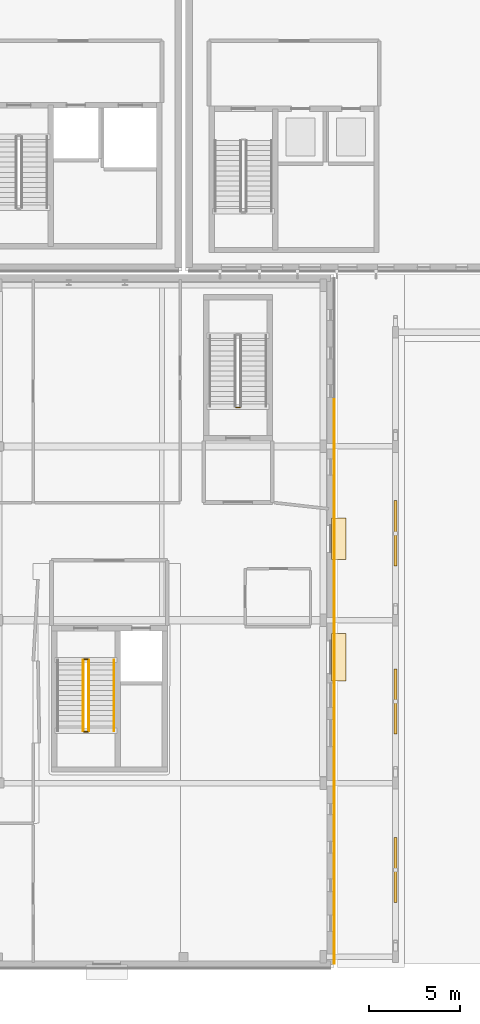
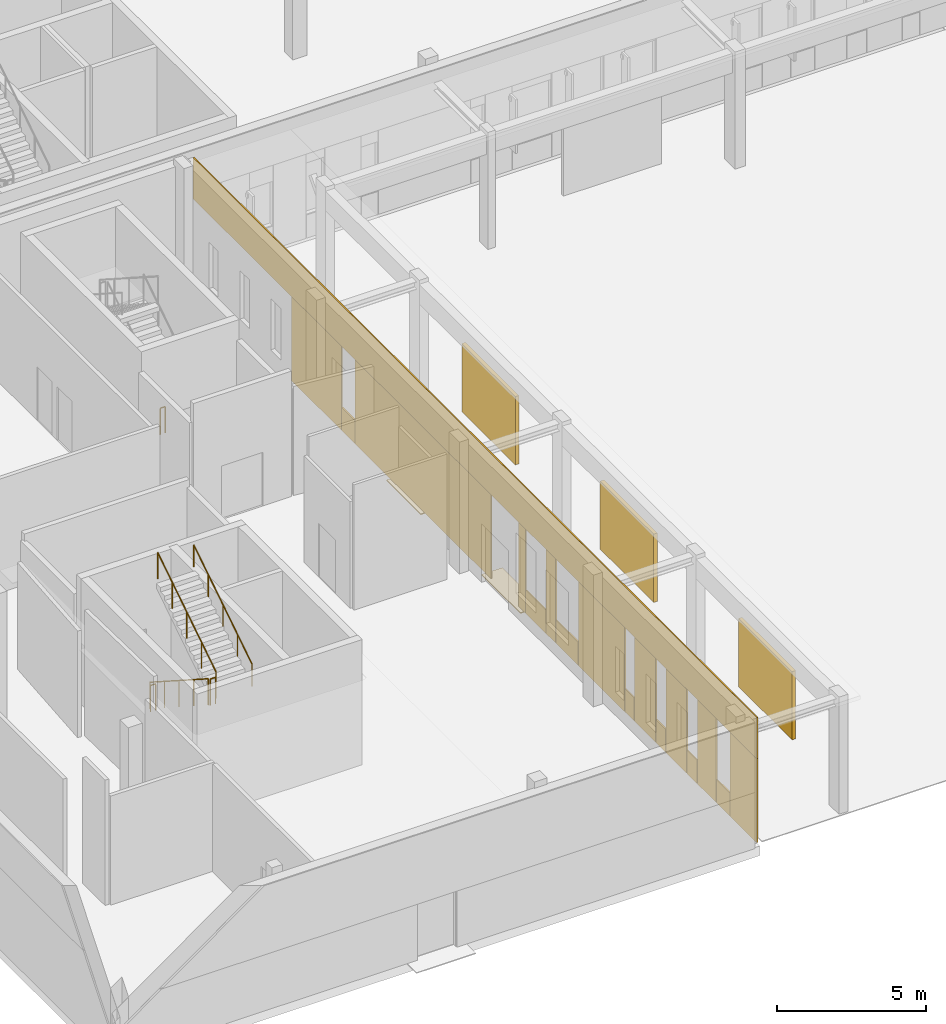
# One storey, part 58 of 84: 19 coverings, 6 railings, 3 shading devices.
"""IFC4 building model written with IfcOpenShell, lengths in metres."""

from ifc_helpers import new_model, si_unit, direction, frame, origin, origin_2d, place, context, subcontext, project, spatial, rectangle, circle, extrude, material, layer, layer_set, type_object, element, save


model = new_model("IFC4")

# Units and contexts
model_context = context("Model", 3, precision=1e-05, world=origin(), true_north=direction((0.0, 1.0)))
body_context = subcontext(model_context, "Body", "Model", "MODEL_VIEW")
ifc_project = project(units=[si_unit("LENGTHUNIT", "METRE"), si_unit("AREAUNIT", "SQUARE_METRE"), si_unit("VOLUMEUNIT", "CUBIC_METRE"), si_unit("PLANEANGLEUNIT", "RADIAN"), si_unit("MASSUNIT", "GRAM", prefix="KILO")], contexts=[model_context])

# Site, building, storey
site_placement = place(None, origin())
site = spatial("IfcSite", under=ifc_project, at=site_placement, CompositionType="ELEMENT")
building_placement = place(site_placement, origin())
building = spatial("IfcBuilding", under=site, at=building_placement, Name="Mzevani Central Library", CompositionType="ELEMENT")
storey_placement = place(building_placement, origin())
storey = spatial("IfcBuildingStorey", under=building, at=storey_placement, Name="L00", CompositionType="ELEMENT", Elevation=0.0)

# Railings
ifc_material_1 = material(Name="Brushed stainless steel rail", Category="steel")
railing_type_1 = type_object("IfcRailingType", Name="Interior Gallery and Stair Guard 1100", PredefinedType="BALUSTRADE", material=ifc_material_1)
railing_1_placement = place(storey_placement, frame((40.449951171875, 21.0, 0.179931640625)))
element("IfcRailing", 1, at=railing_1_placement, inside=storey, type_object=railing_type_1, Name="L00 ST-07 stair guard 1", PredefinedType="BALUSTRADE", context=body_context, shape_type="SweptSolid", body=[
    extrude(circle(Radius=0.02392578125, at=origin_2d()), frame((0.0, 0.0, 1.076171875), z_axis=(0.0, -0.841171666519, 0.540768182723), x_axis=(1.0, 0.0, 0.0)), (0.0, 0.0, 1.0), 4.66015625),
    extrude(circle(Radius=0.02099609375, at=origin_2d()), origin(), (0.0, 0.0, 1.0), 1.052001953125),
    extrude(circle(Radius=0.02099609375, at=origin_2d()), frame((0.0, -0.97998046875, 0.6298828125)), (0.0, 0.0, 1.0), 1.052001953125),
    extrude(circle(Radius=0.02099609375, at=origin_2d()), frame((0.0, -1.9599609375, 1.260009765625)), (0.0, 0.0, 1.0), 1.052001953125),
    extrude(circle(Radius=0.02099609375, at=origin_2d()), frame((0.0, -2.93994140625, 1.89013671875)), (0.0, 0.0, 1.0), 1.052001953125),
    extrude(circle(Radius=0.02099609375, at=origin_2d()), frame((0.0, -3.919921875, 2.52001953125)), (0.0, 0.0, 1.0), 1.052001953125),
])
railing_2_placement = place(storey_placement, frame((40.5, 17.030029296875, 2.699951171875)))
element("IfcRailing", 2, at=railing_2_placement, inside=storey, type_object=railing_type_1, Name="L00 ST-07 stair guard 2", PredefinedType="BALUSTRADE", context=body_context, shape_type="SweptSolid", body=[
    extrude(circle(Radius=0.02392578125, at=origin_2d()), frame((0.0, 0.0, 1.076171875), z_axis=(1.0, 0.0, 0.0), x_axis=(0.0, 1.0, 0.0)), (0.0, 0.0, 1.0), 0.199951171875),
    extrude(circle(Radius=0.02099609375, at=origin_2d()), origin(), (0.0, 0.0, 1.0), 1.052001953125),
    extrude(circle(Radius=0.02099609375, at=origin_2d()), frame((0.199951171875, 0.0, 0.0)), (0.0, 0.0, 1.0), 1.052001953125),
])
railing_3_placement = place(storey_placement, frame((40.75, 17.080078125, 2.8798828125)))
element("IfcRailing", 3, at=railing_3_placement, inside=storey, type_object=railing_type_1, Name="L00 ST-07 stair guard 3", PredefinedType="BALUSTRADE", context=body_context, shape_type="SweptSolid", body=[
    extrude(circle(Radius=0.02392578125, at=origin_2d()), frame((0.0, 0.0, 1.076171875), z_axis=(0.0, 0.841171666519, 0.540768182723), x_axis=(-1.0, 0.0, 0.0)), (0.0, 0.0, 1.0), 4.66015625),
    extrude(circle(Radius=0.02099609375, at=origin_2d()), origin(), (0.0, 0.0, 1.0), 1.052001953125),
    extrude(circle(Radius=0.02099609375, at=origin_2d()), frame((0.0, 0.97998046875, 0.6298828125)), (0.0, 0.0, 1.0), 1.052001953125),
    extrude(circle(Radius=0.02099609375, at=origin_2d()), frame((0.0, 1.9599609375, 1.260009765625)), (0.0, 0.0, 1.0), 1.052001953125),
    extrude(circle(Radius=0.02099609375, at=origin_2d()), frame((0.0, 2.93994140625, 1.89013671875)), (0.0, 0.0, 1.0), 1.052001953125),
    extrude(circle(Radius=0.02099609375, at=origin_2d()), frame((0.0, 3.919921875, 2.52001953125)), (0.0, 0.0, 1.0), 1.052001953125),
])
railing_4_placement = place(storey_placement, frame((40.5, 21.050048828125, 0.0)))
element("IfcRailing", 4, at=railing_4_placement, inside=storey, type_object=railing_type_1, Name="L00 ST-07 stair guard 4", PredefinedType="BALUSTRADE", context=body_context, shape_type="SweptSolid", body=[
    extrude(circle(Radius=0.02392578125, at=origin_2d()), frame((0.0, 0.0, 1.076171875), z_axis=(1.0, 0.0, 0.0), x_axis=(0.0, 1.0, 0.0)), (0.0, 0.0, 1.0), 0.199951171875),
    extrude(circle(Radius=0.02099609375, at=origin_2d()), origin(), (0.0, 0.0, 1.0), 1.052001953125),
    extrude(circle(Radius=0.02099609375, at=origin_2d()), frame((0.199951171875, 0.0, 0.0)), (0.0, 0.0, 1.0), 1.052001953125),
])
railing_5_placement = place(storey_placement, frame((49.10009765625, 34.949951171875, 0.0)))
element("IfcRailing", 5, at=railing_5_placement, inside=storey, type_object=railing_type_1, Name="L00 ST-08 stair guard 4", PredefinedType="BALUSTRADE", context=body_context, shape_type="SweptSolid", body=[
    extrude(circle(Radius=0.02392578125, at=origin_2d()), frame((0.0, 0.0, 1.076171875), z_axis=(-1.0, 0.0, 0.0), x_axis=(0.0, -1.0, 0.0)), (0.0, 0.0, 1.0), 0.2001953125),
    extrude(circle(Radius=0.02099609375, at=origin_2d()), origin(), (0.0, 0.0, 1.0), 1.052001953125),
    extrude(circle(Radius=0.02099609375, at=origin_2d()), frame((-0.2001953125, 0.0, 0.0)), (0.0, 0.0, 1.0), 1.052001953125),
])

# Coverings
ifc_material_2 = material(Name="Limestone ashlar cladding", Category="masonry")
ifc_layer_1 = layer(ifc_material_2, 0.050048828125, Name="Limestone Ashlar Spandrel Cladding")
ifc_layer_set_1 = layer_set([ifc_layer_1], Name="Limestone ashlar cladding")
covering_type_1 = type_object("IfcCoveringType", Name="Limestone Ashlar Spandrel Cladding", PredefinedType="CLADDING", material=ifc_layer_set_1)
covering_1_placement = place(storey_placement, frame((54.323974609375, 23.14990234375, 3.449951171875), z_axis=(0.0, 0.0, 1.0), x_axis=(0.0, -1.0, 0.0)))
element("IfcCovering", 6, at=covering_1_placement, inside=storey, type_object=covering_type_1, Name="L00 Warm-White Facade Spandrel (EW4-V4-L00-0075)", PredefinedType="CLADDING", context=body_context, shape_type="SweptSolid", body=[
    extrude(rectangle(XDim=37.8798828125, YDim=0.050048828125, at=origin_2d()), origin(), (0.0, 0.0, 1.0), 1.68994140625),
])
covering_2_placement = place(storey_placement, frame((54.323974609375, 33.81005859375, 0.0), z_axis=(0.0, 0.0, 1.0), x_axis=(0.0, -1.0, 0.0)))
element("IfcCovering", 7, at=covering_2_placement, inside=storey, type_object=covering_type_1, Name="L00 Warm-White Facade Pier 7 (EW4-V4-L00-0075)", PredefinedType="CLADDING", context=body_context, shape_type="SweptSolid", body=[
    extrude(rectangle(XDim=3.360107421875, YDim=0.050048828125, at=origin_2d()), origin(), (0.0, 0.0, 1.0), 3.449951171875),
])
covering_3_placement = place(storey_placement, frame((54.323974609375, 31.659912109375, 0.0), z_axis=(0.0, 0.0, 1.0), x_axis=(0.0, -1.0, 0.0)))
element("IfcCovering", 8, at=covering_3_placement, inside=storey, type_object=covering_type_1, Name="L00 Warm-White Sill Cladding 8 (EW4-V4-L00-0075)", PredefinedType="CLADDING", context=body_context, shape_type="SweptSolid", body=[
    extrude(rectangle(XDim=0.89990234375, YDim=0.050048828125, at=origin_2d()), origin(), (0.0, 0.0, 1.0), 0.949951171875),
])
covering_4_placement = place(storey_placement, frame((54.323974609375, 26.6298828125, 0.0), z_axis=(0.0, 0.0, 1.0), x_axis=(0.0, -1.0, 0.0)))
element("IfcCovering", 9, at=covering_4_placement, inside=storey, type_object=covering_type_1, Name="L00 Warm-White Facade Pier 9 (EW4-V4-L00-0075)", PredefinedType="CLADDING", context=body_context, shape_type="SweptSolid", body=[
    extrude(rectangle(XDim=9.1201171875, YDim=0.050048828125, at=origin_2d()), origin(), (0.0, 0.0, 1.0), 3.449951171875),
])
covering_5_placement = place(storey_placement, frame((54.323974609375, 19.992431640625, 0.0), z_axis=(0.0, 0.0, 1.0), x_axis=(0.0, -1.0, 0.0)))
element("IfcCovering", 10, at=covering_5_placement, inside=storey, type_object=covering_type_1, Name="L00 Warm-White Facade Pier 10 (EW4-V4-L00-0075)", PredefinedType="CLADDING", context=body_context, shape_type="SweptSolid", body=[
    extrude(rectangle(XDim=0.47509765625, YDim=0.050048828125, at=origin_2d()), origin(), (0.0, 0.0, 1.0), 3.449951171875),
])
covering_6_placement = place(storey_placement, frame((54.323974609375, 19.06005859375, 0.0), z_axis=(0.0, 0.0, 1.0), x_axis=(0.0, -1.0, 0.0)))
element("IfcCovering", 11, at=covering_6_placement, inside=storey, type_object=covering_type_1, Name="L00 Warm-White Sill Cladding 11 (EW4-V4-L00-0075)", PredefinedType="CLADDING", context=body_context, shape_type="SweptSolid", body=[
    extrude(rectangle(XDim=1.35009765625, YDim=0.050048828125, at=origin_2d()), origin(), (0.0, 0.0, 1.0), 0.949951171875),
])
covering_7_placement = place(storey_placement, frame((54.323974609375, 18.047607421875, 0.0), z_axis=(0.0, 0.0, 1.0), x_axis=(0.0, -1.0, 0.0)))
element("IfcCovering", 12, at=covering_7_placement, inside=storey, type_object=covering_type_1, Name="L00 Warm-White Facade Pier 12 (EW4-V4-L00-0075)", PredefinedType="CLADDING", context=body_context, shape_type="SweptSolid", body=[
    extrude(rectangle(XDim=0.635009765625, YDim=0.050048828125, at=origin_2d()), origin(), (0.0, 0.0, 1.0), 3.449951171875),
])
covering_8_placement = place(storey_placement, frame((54.323974609375, 16.9599609375, 0.0), z_axis=(0.0, 0.0, 1.0), x_axis=(0.0, -1.0, 0.0)))
element("IfcCovering", 13, at=covering_8_placement, inside=storey, type_object=covering_type_1, Name="L00 Warm-White Sill Cladding 13 (EW4-V4-L00-0075)", PredefinedType="CLADDING", context=body_context, shape_type="SweptSolid", body=[
    extrude(rectangle(XDim=1.5, YDim=0.050048828125, at=origin_2d()), origin(), (0.0, 0.0, 1.0), 0.949951171875),
])
covering_9_placement = place(storey_placement, frame((54.323974609375, 14.635009765625, 0.0), z_axis=(0.0, 0.0, 1.0), x_axis=(0.0, -1.0, 0.0)))
element("IfcCovering", 14, at=covering_9_placement, inside=storey, type_object=covering_type_1, Name="L00 Warm-White Facade Pier 14 (EW4-V4-L00-0075)", PredefinedType="CLADDING", context=body_context, shape_type="SweptSolid", body=[
    extrude(rectangle(XDim=3.110107421875, YDim=0.050048828125, at=origin_2d()), origin(), (0.0, 0.0, 1.0), 3.449951171875),
])
covering_10_placement = place(storey_placement, frame((54.323974609375, 12.760009765625, 0.0), z_axis=(0.0, 0.0, 1.0), x_axis=(0.0, -1.0, 0.0)))
element("IfcCovering", 15, at=covering_10_placement, inside=storey, type_object=covering_type_1, Name="L00 Warm-White Sill Cladding 15 (EW4-V4-L00-0075)", PredefinedType="CLADDING", context=body_context, shape_type="SweptSolid", body=[
    extrude(rectangle(XDim=0.60009765625, YDim=0.050048828125, at=origin_2d()), origin(), (0.0, 0.0, 1.0), 0.949951171875),
])
covering_11_placement = place(storey_placement, frame((54.323974609375, 11.722412109375, 0.0), z_axis=(0.0, 0.0, 1.0), x_axis=(0.0, -1.0, 0.0)))
element("IfcCovering", 16, at=covering_11_placement, inside=storey, type_object=covering_type_1, Name="L00 Warm-White Facade Pier 16 (EW4-V4-L00-0075)", PredefinedType="CLADDING", context=body_context, shape_type="SweptSolid", body=[
    extrude(rectangle(XDim=1.43505859375, YDim=0.050048828125, at=origin_2d()), origin(), (0.0, 0.0, 1.0), 3.449951171875),
])
covering_12_placement = place(storey_placement, frame((54.323974609375, 10.659912109375, 0.0), z_axis=(0.0, 0.0, 1.0), x_axis=(0.0, -1.0, 0.0)))
element("IfcCovering", 17, at=covering_12_placement, inside=storey, type_object=covering_type_1, Name="L00 Warm-White Sill Cladding 17 (EW4-V4-L00-0075)", PredefinedType="CLADDING", context=body_context, shape_type="SweptSolid", body=[
    extrude(rectangle(XDim=0.64990234375, YDim=0.050048828125, at=origin_2d()), origin(), (0.0, 0.0, 1.0), 0.949951171875),
])
covering_13_placement = place(storey_placement, frame((54.323974609375, 9.62255859375, 0.0), z_axis=(0.0, 0.0, 1.0), x_axis=(0.0, -1.0, 0.0)))
element("IfcCovering", 18, at=covering_13_placement, inside=storey, type_object=covering_type_1, Name="L00 Warm-White Facade Pier 18 (EW4-V4-L00-0075)", PredefinedType="CLADDING", context=body_context, shape_type="SweptSolid", body=[
    extrude(rectangle(XDim=1.385009765625, YDim=0.050048828125, at=origin_2d()), origin(), (0.0, 0.0, 1.0), 3.449951171875),
])
covering_14_placement = place(storey_placement, frame((54.323974609375, 8.56005859375, 0.0), z_axis=(0.0, 0.0, 1.0), x_axis=(0.0, -1.0, 0.0)))
element("IfcCovering", 19, at=covering_14_placement, inside=storey, type_object=covering_type_1, Name="L00 Warm-White Sill Cladding 19 (EW4-V4-L00-0075)", PredefinedType="CLADDING", context=body_context, shape_type="SweptSolid", body=[
    extrude(rectangle(XDim=0.699951171875, YDim=0.050048828125, at=origin_2d()), origin(), (0.0, 0.0, 1.0), 0.949951171875),
])
covering_15_placement = place(storey_placement, frame((54.323974609375, 7.56005859375, 0.0), z_axis=(0.0, 0.0, 1.0), x_axis=(0.0, -1.0, 0.0)))
element("IfcCovering", 20, at=covering_15_placement, inside=storey, type_object=covering_type_1, Name="L00 Warm-White Facade Pier 20 (EW4-V4-L00-0075)", PredefinedType="CLADDING", context=body_context, shape_type="SweptSolid", body=[
    extrude(rectangle(XDim=1.260009765625, YDim=0.050048828125, at=origin_2d()), origin(), (0.0, 0.0, 1.0), 3.449951171875),
])
covering_16_placement = place(storey_placement, frame((54.323974609375, 6.4599609375, 0.0), z_axis=(0.0, 0.0, 1.0), x_axis=(0.0, -1.0, 0.0)))
element("IfcCovering", 21, at=covering_16_placement, inside=storey, type_object=covering_type_1, Name="L00 Warm-White Sill Cladding 21 (EW4-V4-L00-0075)", PredefinedType="CLADDING", context=body_context, shape_type="SweptSolid", body=[
    extrude(rectangle(XDim=0.89990234375, YDim=0.050048828125, at=origin_2d()), origin(), (0.0, 0.0, 1.0), 0.949951171875),
])
covering_17_placement = place(storey_placement, frame((54.323974609375, 5.10009765625, 0.0), z_axis=(0.0, 0.0, 1.0), x_axis=(0.0, -1.0, 0.0)))
element("IfcCovering", 22, at=covering_17_placement, inside=storey, type_object=covering_type_1, Name="L00 Warm-White Facade Pier 22 (EW4-V4-L00-0075)", PredefinedType="CLADDING", context=body_context, shape_type="SweptSolid", body=[
    extrude(rectangle(XDim=1.780029296875, YDim=0.050048828125, at=origin_2d()), origin(), (0.0, 0.0, 1.0), 3.449951171875),
])

# Shading devices
ifc_material_3 = material(Name="Precast concrete C40/50", Category="concrete")
ifc_layer_2 = layer(ifc_material_3, 0.139892578125, Name="Precast Concrete Desert Breeze-Block Screen")
ifc_layer_set_2 = layer_set([ifc_layer_2], Name="Precast concrete C40/50")
shading_device_type = type_object("IfcShadingDeviceType", Name="Precast Concrete Desert Breeze-Block Screen", PredefinedType="JALOUSIE", material=ifc_layer_set_2)
for number, where, z_axis, x_axis, name in (
    (23, (57.699951171875, 9.39990234375, 1.0), (0.0, 0.0, 1.0), (1.0, 0.0, 0.0), "L00 Precast Breeze-Block Solar Screen 1"),
    (24, (57.699951171875, 18.699951171875, 1.0), (0.0, 0.0, 1.0), (1.0, 0.0, 0.0), "L00 Precast Breeze-Block Solar Screen 2"),
    (25, (57.699951171875, 28.0, 1.0), (0.0, 0.0, 1.0), (1.0, 0.0, 0.0), "L00 Precast Breeze-Block Solar Screen 3"),
):
    element("IfcShadingDevice", number, at=place(storey_placement, frame(where, z_axis=z_axis, x_axis=x_axis)), inside=storey, type_object=shading_device_type, Name=name, PredefinedType="JALOUSIE", context=body_context, shape_type="SweptSolid", body=[
        extrude(rectangle(XDim=0.139892578125, YDim=3.60009765625, at=origin_2d()), origin(), (0.0, 0.0, 1.0), 2.800048828125),
    ])

# Railing
railing_type_2 = type_object("IfcRailingType", Name="Stair Wall Handrail 920", PredefinedType="HANDRAIL", material=ifc_material_1)
railing_6_placement = place(storey_placement, frame((42.14990234375, 17.080078125, 2.8798828125)))
element("IfcRailing", 26, at=railing_6_placement, inside=storey, type_object=railing_type_2, Name="L00 ST-07 stair handrail 2", PredefinedType="HANDRAIL", context=body_context, shape_type="SweptSolid", body=[
    extrude(circle(Radius=0.02392578125, at=origin_2d()), frame((0.0, 0.0, 0.89599609375), z_axis=(0.0, 0.841171666519, 0.540768182723), x_axis=(-1.0, 0.0, 0.0)), (0.0, 0.0, 1.0), 4.66015625),
    extrude(circle(Radius=0.02099609375, at=origin_2d()), origin(), (0.0, 0.0, 1.0), 0.871826171875),
    extrude(circle(Radius=0.02099609375, at=origin_2d()), frame((0.0, 0.97998046875, 0.6298828125)), (0.0, 0.0, 1.0), 0.871826171875),
    extrude(circle(Radius=0.02099609375, at=origin_2d()), frame((0.0, 1.9599609375, 1.260009765625)), (0.0, 0.0, 1.0), 0.871826171875),
    extrude(circle(Radius=0.02099609375, at=origin_2d()), frame((0.0, 2.93994140625, 1.89013671875)), (0.0, 0.0, 1.0), 0.871826171875),
    extrude(circle(Radius=0.02099609375, at=origin_2d()), frame((0.0, 3.919921875, 2.52001953125)), (0.0, 0.0, 1.0), 0.871826171875),
])

# Coverings
ifc_material_4 = material(Name="Terrazzo stone flooring", Category="masonry")
ifc_layer_3 = layer(ifc_material_4, 0.030029296875, Name="Terrazzo Stone Floor Finish")
ifc_layer_set_3 = layer_set([ifc_layer_3], Name="Terrazzo stone flooring")
covering_type_2 = type_object("IfcCoveringType", Name="Terrazzo Stone Floor Finish", PredefinedType="FLOORING", material=ifc_layer_set_3)
covering_18_placement = place(storey_placement, frame((54.56005859375, 27.69091796875, -0.0400390625), z_axis=(0.0, 0.0, 1.0), x_axis=(0.0, -1.0, 0.0)))
element("IfcCovering", 27, at=covering_18_placement, inside=storey, type_object=covering_type_2, Name="L00 V4 Protected Exit Corridor Final Discharge Apron", PredefinedType="FLOORING", context=body_context, shape_type="SweptSolid", body=[
    extrude(rectangle(XDim=2.300048828125, YDim=0.800048828125, at=origin_2d()), origin(), (0.0, 0.0, 1.0), 0.0400390625),
])
covering_19_placement = place(storey_placement, frame((54.56005859375, 21.14990234375, -0.0400390625), z_axis=(0.0, 0.0, 1.0), x_axis=(0.0, -1.0, 0.0)))
element("IfcCovering", 28, at=covering_19_placement, inside=storey, type_object=covering_type_2, Name="L00 V4 Exterior Entrance Threshold Apron (28)", PredefinedType="FLOORING", context=body_context, shape_type="SweptSolid", body=[
    extrude(rectangle(XDim=2.60009765625, YDim=0.800048828125, at=origin_2d()), origin(), (0.0, 0.0, 1.0), 0.0400390625),
])

save(model, "model.ifc")
